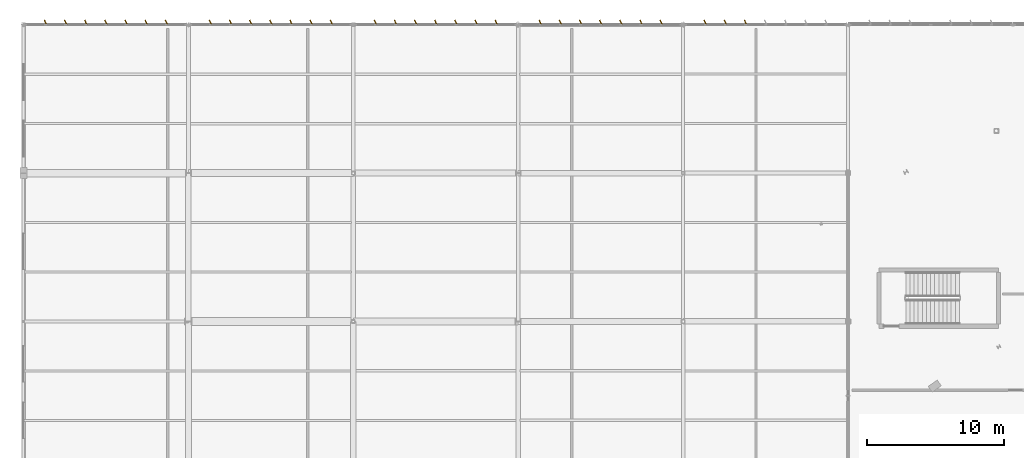
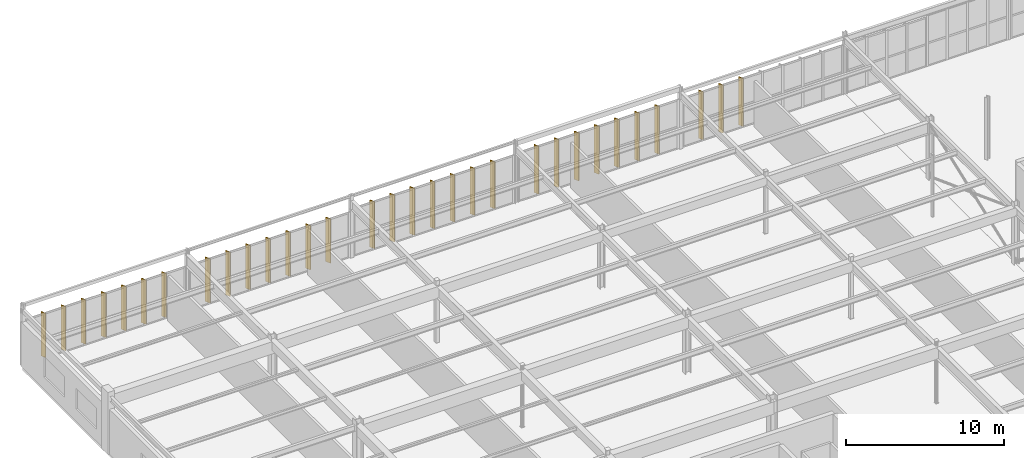
# One storey, part 209 of 226: 31 shading devices.
"""IFC4 building model written with IfcOpenShell, lengths in metres."""

from ifc_helpers import new_model, si_unit, direction, frame, origin, origin_2d, place, context, subcontext, project, spatial, rectangle, extrude, material, layer, layer_set, type_object, element, save


model = new_model("IFC4")

# Units and contexts
model_context = context("Model", 3, precision=1e-05, world=origin(), true_north=direction((0.0, 1.0)))
body_context = subcontext(model_context, "Body", "Model", "MODEL_VIEW")
ifc_project = project(units=[si_unit("LENGTHUNIT", "METRE"), si_unit("AREAUNIT", "SQUARE_METRE"), si_unit("VOLUMEUNIT", "CUBIC_METRE"), si_unit("PLANEANGLEUNIT", "RADIAN"), si_unit("MASSUNIT", "GRAM", prefix="KILO")], contexts=[model_context])

# Site, building, storey
site_placement = place(None, origin())
site = spatial("IfcSite", under=ifc_project, at=site_placement, CompositionType="ELEMENT")
building_placement = place(site_placement, origin())
building = spatial("IfcBuilding", under=site, at=building_placement, Name="Tarnwether General Hospital", CompositionType="ELEMENT")
storey_placement = place(building_placement, frame((0.0, 0.0, 4.800048828125)))
storey = spatial("IfcBuildingStorey", under=building, at=storey_placement, Name="L01", CompositionType="ELEMENT", Elevation=4.800048828125)

# Shading devices
ifc_material = material(Name="Champagne-bronze anodised aluminium", Category="aluminium")
ifc_layer = layer(ifc_material, 0.06005859375)
ifc_layer_set = layer_set([ifc_layer], Name="Champagne-bronze anodised aluminium")
shading_device_type = type_object("IfcShadingDeviceType", Name="SH-FIN-BRZ", PredefinedType="USERDEFINED", material=ifc_layer_set)
for number, where, z_axis, x_axis, name in (
    (1, (1.60107421875, 126.159912109375, 0.050048828125), (0.0, 0.0, 1.0), (0.906307787037, 0.422618261741, 0.0), "Champagne-Bronze Brise-Soleil Fin 0159"),
    (2, (3.06689453125, 126.159912109375, 0.050048828125), (0.0, 0.0, 1.0), (0.906307787037, 0.422618261741, 0.0), "Champagne-Bronze Brise-Soleil Fin 0160"),
    (3, (4.533935546875, 126.159912109375, 0.050048828125), (0.0, 0.0, 1.0), (0.906307787037, 0.422618261741, 0.0), "Champagne-Bronze Brise-Soleil Fin 0161"),
    (4, (6.0, 126.159912109375, 0.050048828125), (0.0, 0.0, 1.0), (0.906307787037, 0.422618261741, 0.0), "Champagne-Bronze Brise-Soleil Fin 0162"),
    (5, (7.466064453125, 126.159912109375, 0.050048828125), (0.0, 0.0, 1.0), (0.906307787037, 0.422618261741, 0.0), "Champagne-Bronze Brise-Soleil Fin 0163"),
    (6, (8.931884765625, 126.159912109375, 0.050048828125), (0.0, 0.0, 1.0), (0.906307787037, 0.422618261741, 0.0), "Champagne-Bronze Brise-Soleil Fin 0164"),
    (7, (10.39892578125, 126.159912109375, 0.050048828125), (0.0, 0.0, 1.0), (0.906307787037, 0.422618261741, 0.0), "Champagne-Bronze Brise-Soleil Fin 0165"),
    (8, (13.60107421875, 126.159912109375, 0.050048828125), (0.0, 0.0, 1.0), (0.906307787037, 0.422618261741, 0.0), "Champagne-Bronze Brise-Soleil Fin 0166"),
    (9, (15.06689453125, 126.159912109375, 0.050048828125), (0.0, 0.0, 1.0), (0.906307787037, 0.422618261741, 0.0), "Champagne-Bronze Brise-Soleil Fin 0167"),
    (10, (16.533935546875, 126.159912109375, 0.050048828125), (0.0, 0.0, 1.0), (0.906307787037, 0.422618261741, 0.0), "Champagne-Bronze Brise-Soleil Fin 0168"),
    (11, (18.0, 126.159912109375, 0.050048828125), (0.0, 0.0, 1.0), (0.906307787037, 0.422618261741, 0.0), "Champagne-Bronze Brise-Soleil Fin 0169"),
    (12, (19.466064453125, 126.159912109375, 0.050048828125), (0.0, 0.0, 1.0), (0.906307787037, 0.422618261741, 0.0), "Champagne-Bronze Brise-Soleil Fin 0170"),
    (13, (20.931884765625, 126.159912109375, 0.050048828125), (0.0, 0.0, 1.0), (0.906307787037, 0.422618261741, 0.0), "Champagne-Bronze Brise-Soleil Fin 0171"),
    (14, (22.39892578125, 126.159912109375, 0.050048828125), (0.0, 0.0, 1.0), (0.906307787037, 0.422618261741, 0.0), "Champagne-Bronze Brise-Soleil Fin 0172"),
):
    element("IfcShadingDevice", number, at=place(storey_placement, frame(where, z_axis=z_axis, x_axis=x_axis)), inside=storey, type_object=shading_device_type, Name=name, ObjectType="SOLAR FIN", PredefinedType="USERDEFINED", context=body_context, shape_type="SweptSolid", body=[
        extrude(rectangle(XDim=0.06005859375, YDim=0.360107421875, at=origin_2d()), origin(), (0.0, 0.0, 1.0), 3.4150390625),
    ])
for number, where, z_axis, x_axis, name in (
    (15, (25.60107421875, 126.159912109375, 0.050048828125), (0.0, 0.0, 1.0), (0.906307787037, 0.422618261741, 0.0), "Champagne-Bronze Brise-Soleil Fin 0173"),
    (16, (27.068115234375, 126.159912109375, 0.050048828125), (0.0, 0.0, 1.0), (0.906307787037, 0.422618261741, 0.0), "Champagne-Bronze Brise-Soleil Fin 0174"),
    (17, (28.533935546875, 126.159912109375, 0.050048828125), (0.0, 0.0, 1.0), (0.906307787037, 0.422618261741, 0.0), "Champagne-Bronze Brise-Soleil Fin 0175"),
    (18, (30.0, 126.159912109375, 0.050048828125), (0.0, 0.0, 1.0), (0.906307787037, 0.422618261741, 0.0), "Champagne-Bronze Brise-Soleil Fin 0176"),
    (19, (31.466064453125, 126.159912109375, 0.050048828125), (0.0, 0.0, 1.0), (0.906307787037, 0.422618261741, 0.0), "Champagne-Bronze Brise-Soleil Fin 0177"),
    (20, (32.93310546875, 126.159912109375, 0.050048828125), (0.0, 0.0, 1.0), (0.906307787037, 0.422618261741, 0.0), "Champagne-Bronze Brise-Soleil Fin 0178"),
    (21, (34.39892578125, 126.159912109375, 0.050048828125), (0.0, 0.0, 1.0), (0.906307787037, 0.422618261741, 0.0), "Champagne-Bronze Brise-Soleil Fin 0179"),
):
    element("IfcShadingDevice", number, at=place(storey_placement, frame(where, z_axis=z_axis, x_axis=x_axis)), inside=storey, type_object=shading_device_type, Name=name, ObjectType="SOLAR FIN", PredefinedType="USERDEFINED", context=body_context, shape_type="SweptSolid", body=[
        extrude(rectangle(XDim=0.06005859375, YDim=0.360107421875, at=origin_2d()), origin(), (0.0, 0.0, 1.0), 3.623046875),
    ])
for number, where, z_axis, x_axis, name in (
    (22, (37.60107421875, 126.159912109375, 0.0498046875), (0.0, 0.0, 1.0), (0.906307787037, 0.422618261741, 0.0), "Champagne-Bronze Brise-Soleil Fin 0180"),
    (23, (39.06689453125, 126.159912109375, 0.0498046875), (0.0, 0.0, 1.0), (0.906307787037, 0.422618261741, 0.0), "Champagne-Bronze Brise-Soleil Fin 0181"),
    (24, (40.533935546875, 126.159912109375, 0.0498046875), (0.0, 0.0, 1.0), (0.906307787037, 0.422618261741, 0.0), "Champagne-Bronze Brise-Soleil Fin 0182"),
    (25, (42.0, 126.159912109375, 0.0498046875), (0.0, 0.0, 1.0), (0.906307787037, 0.422618261741, 0.0), "Champagne-Bronze Brise-Soleil Fin 0183"),
    (26, (43.466064453125, 126.159912109375, 0.0498046875), (0.0, 0.0, 1.0), (0.906307787037, 0.422618261741, 0.0), "Champagne-Bronze Brise-Soleil Fin 0184"),
    (27, (44.93310546875, 126.159912109375, 0.0498046875), (0.0, 0.0, 1.0), (0.906307787037, 0.422618261741, 0.0), "Champagne-Bronze Brise-Soleil Fin 0185"),
    (28, (46.39892578125, 126.159912109375, 0.0498046875), (0.0, 0.0, 1.0), (0.906307787037, 0.422618261741, 0.0), "Champagne-Bronze Brise-Soleil Fin 0186"),
):
    element("IfcShadingDevice", number, at=place(storey_placement, frame(where, z_axis=z_axis, x_axis=x_axis)), inside=storey, type_object=shading_device_type, Name=name, ObjectType="SOLAR FIN", PredefinedType="USERDEFINED", context=body_context, shape_type="SweptSolid", body=[
        extrude(rectangle(XDim=0.06005859375, YDim=0.360107421875, at=origin_2d()), origin(), (0.0, 0.0, 1.0), 3.702880859375),
    ])
for number, where, z_axis, x_axis, name in (
    (29, (49.60107421875, 126.159912109375, 0.050048828125), (0.0, 0.0, 1.0), (0.906307787037, 0.422618261741, 0.0), "Champagne-Bronze Brise-Soleil Fin 0187"),
    (30, (51.06689453125, 126.159912109375, 0.050048828125), (0.0, 0.0, 1.0), (0.906307787037, 0.422618261741, 0.0), "Champagne-Bronze Brise-Soleil Fin 0188"),
    (31, (52.533935546875, 126.159912109375, 0.050048828125), (0.0, 0.0, 1.0), (0.906307787037, 0.422618261741, 0.0), "Champagne-Bronze Brise-Soleil Fin 0189"),
):
    element("IfcShadingDevice", number, at=place(storey_placement, frame(where, z_axis=z_axis, x_axis=x_axis)), inside=storey, type_object=shading_device_type, Name=name, ObjectType="SOLAR FIN", PredefinedType="USERDEFINED", context=body_context, shape_type="SweptSolid", body=[
        extrude(rectangle(XDim=0.06005859375, YDim=0.360107421875, at=origin_2d()), origin(), (0.0, 0.0, 1.0), 3.7080078125),
    ])

save(model, "model.ifc")
